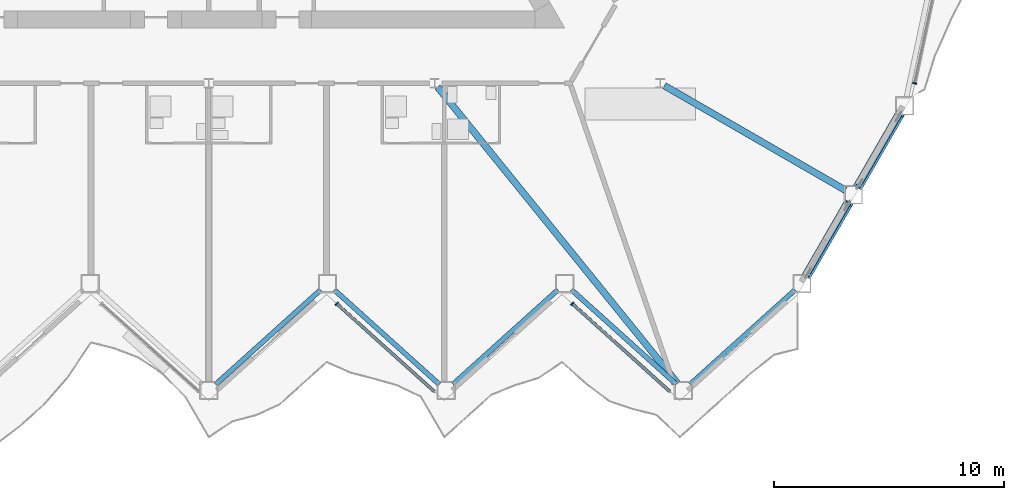
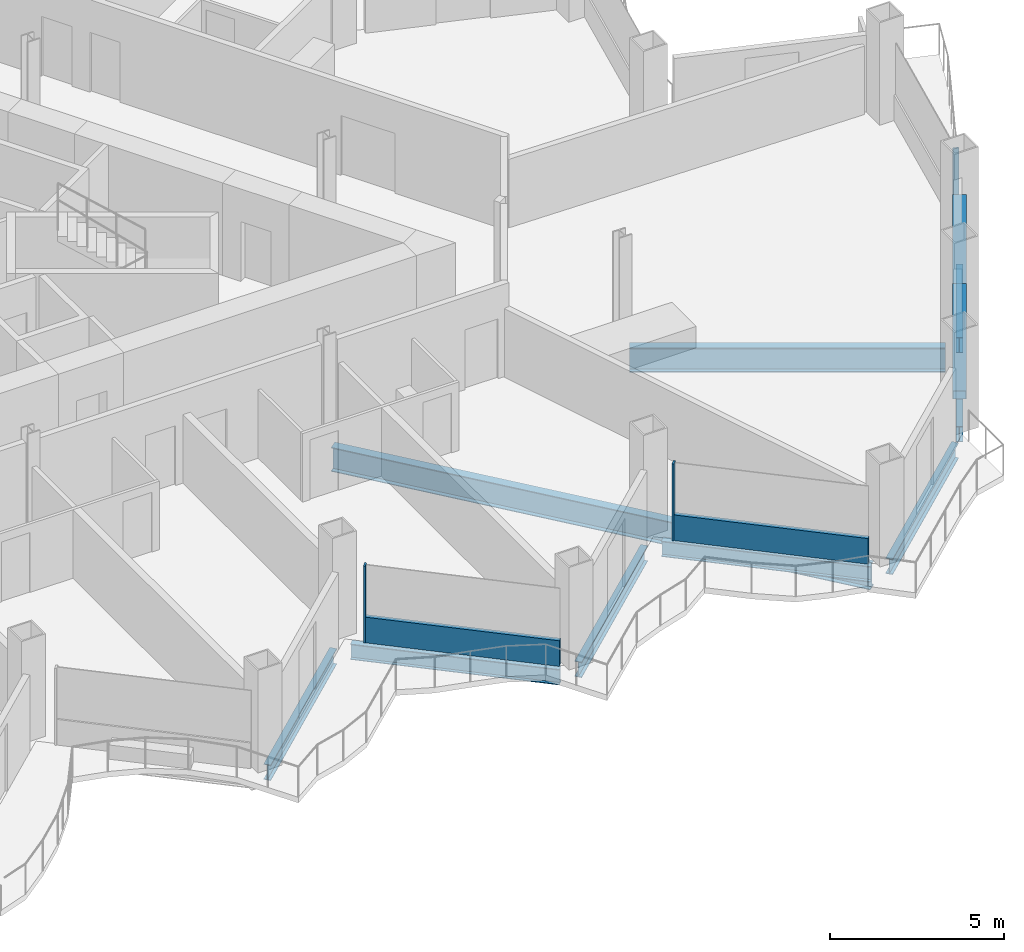
# One storey, part 5 of 23: 9 beams, 7 members, 3 elements without a shape of their own.
"""IFC4 building model written with IfcOpenShell, lengths in metres."""

from ifc_helpers import new_model, si_unit, direction, frame, origin, origin_2d, place, context, subcontext, project, spatial, rectangle, hollow_rectangle, i_section, extrude, material, layer, layer_set, material_profile, profile_set, type_object, element, aggregate, save


model = new_model("IFC4")

# Units and contexts
model_context = context("Model", 3, precision=1e-05, world=origin(), true_north=direction((0.0, 1.0)))
body_context = subcontext(model_context, "Body", "Model", "MODEL_VIEW")
ifc_project = project(units=[si_unit("LENGTHUNIT", "METRE"), si_unit("AREAUNIT", "SQUARE_METRE"), si_unit("VOLUMEUNIT", "CUBIC_METRE"), si_unit("PLANEANGLEUNIT", "RADIAN"), si_unit("MASSUNIT", "GRAM", prefix="KILO")], contexts=[model_context])

# Site, building, storey
site_placement = place(None, origin())
site = spatial("IfcSite", under=ifc_project, at=site_placement, CompositionType="ELEMENT")
building_placement = place(site_placement, origin())
building = spatial("IfcBuilding", under=site, at=building_placement, Name="Cormorant Prow Tower", CompositionType="ELEMENT")
storey_placement = place(building_placement, frame((0.0, 0.0, 187.199951171875)))
storey = spatial("IfcBuildingStorey", under=building, at=storey_placement, Name="L40", CompositionType="ELEMENT", Elevation=187.199951171875)

# Members
ifc_material_1 = material(Name="Structural steel ASTM A500 Gr C", Category="steel")
ifc_material_profile_1 = material_profile(ifc_material_1, hollow_rectangle(XDim=0.406494140625, YDim=0.406494140625, WallThickness=0.01171875, at=origin_2d()), Name="HSS16x16x1/2")
ifc_profile_set_1 = profile_set([ifc_material_profile_1], Name="Structural steel ASTM A500 Gr C")
member_type_1 = type_object("IfcMemberType", Name="Chamfer brace HSS16x16x1/2", PredefinedType="BRACE", material=ifc_profile_set_1)
member_1_placement = place(storey_placement, frame((26.0322265625, -19.7099609375, 0.739990234375), z_axis=(0.47400804529, 0.820968949664, 0.318318011883), x_axis=(-0.866015628144, 0.500016931523, 0.0)))
element("IfcMember", 1, at=member_1_placement, inside=storey, type_object=member_type_1, Name="Chamfer brace BR2 at ESE00 L40", PredefinedType="BRACE", context=body_context, shape_type="SweptSolid", body=[
    extrude(hollow_rectangle(XDim=0.406494140625, YDim=0.406494140625, WallThickness=0.01171875, at=origin_2d()), origin(), (0.0, 0.0, 1.0), 3.835693359375),
])
member_2_placement = place(storey_placement, frame((28.267333984375, -15.838623046875, 0.739990234375), z_axis=(0.473983276796, 0.820989698857, 0.31830137871), x_axis=(-0.866032413668, 0.499987858329, 0.0)))
element("IfcMember", 2, at=member_2_placement, inside=storey, type_object=member_type_1, Name="Chamfer brace BR2 at ESE01 L40", PredefinedType="BRACE", context=body_context, shape_type="SweptSolid", body=[
    extrude(hollow_rectangle(XDim=0.406494140625, YDim=0.406494140625, WallThickness=0.01171875, at=origin_2d()), origin(), (0.0, 0.0, 1.0), 3.8359375),
])

# Curtain wall, member
ifc_material_2 = material(Name="Aluminium 6063-T6", Category="aluminium")
ifc_layer = layer(ifc_material_2, 0.179931640625)
ifc_layer_set = layer_set([ifc_layer], Name="Aluminium 6063-T6")
curtain_wall_type = type_object("IfcCurtainWallType", Name="Hotel unitised curtain wall 180", PredefinedType="NOTDEFINED", material=ifc_layer_set)
curtain_wall_1_placement = place(storey_placement, origin())
curtain_wall_1 = element("IfcCurtainWall", 3, at=curtain_wall_1_placement, inside=storey, type_object=curtain_wall_type, Name="Hotel curtain wall S06", PredefinedType="NOTDEFINED")
ifc_material_3 = material(Name="Aluminium 6063-T6", Category="aluminium")
ifc_material_profile_2 = material_profile(ifc_material_3, rectangle(XDim=0.179931640625, YDim=0.06005859375, at=origin_2d()), Name="Hotel mullion 60x180")
ifc_profile_set_2 = profile_set([ifc_material_profile_2], Name="Aluminium 6063-T6")
member_type_2 = type_object("IfcMemberType", Name="Hotel mullion 60x180", PredefinedType="MULLION", material=ifc_profile_set_2)
member_3_placement = place(storey_placement, frame((5.571533203125, -20.94189453125, 0.0), z_axis=(0.0, 0.0, 1.0), x_axis=(0.669130655957, 0.743144780819, 0.0)))
member_3 = element("IfcMember", 4, at=member_3_placement, type_object=member_type_2, Name="Hotel mullion S06", PredefinedType="MULLION", context=body_context, shape_type="SweptSolid", body=[
    extrude(rectangle(XDim=0.179931640625, YDim=0.06005859375, at=origin_2d()), origin(), (0.0, 0.0, 1.0), 2.700927734375),
])

curtain_wall_2_placement = place(storey_placement, origin())
curtain_wall_2 = element("IfcCurtainWall", 5, at=curtain_wall_2_placement, inside=storey, type_object=curtain_wall_type, Name="Hotel curtain wall S08", PredefinedType="NOTDEFINED")
member_4_placement = place(storey_placement, frame((15.82568359375, -20.94189453125, 0.0), z_axis=(0.0, 0.0, 1.0), x_axis=(0.669130583881, 0.743144845716, 0.0)))
member_4 = element("IfcMember", 6, at=member_4_placement, type_object=member_type_2, Name="Hotel mullion S08", PredefinedType="MULLION", context=body_context, shape_type="SweptSolid", body=[
    extrude(rectangle(XDim=0.179931640625, YDim=0.06005859375, at=origin_2d()), origin(), (0.0, 0.0, 1.0), 2.700927734375),
])

curtain_wall_3_placement = place(storey_placement, origin())
curtain_wall_3 = element("IfcCurtainWall", 7, at=curtain_wall_3_placement, inside=storey, type_object=curtain_wall_type, Name="Hotel curtain wall ENE00", PredefinedType="NOTDEFINED")
member_5_placement = place(storey_placement, frame((30.731689453125, -11.34521484375, 0.0), z_axis=(0.0, 0.0, 1.0), x_axis=(-0.978147591622, 0.207911733685, 0.0)))
member_5 = element("IfcMember", 8, at=member_5_placement, type_object=member_type_2, Name="Hotel mullion ENE00", PredefinedType="MULLION", context=body_context, shape_type="SweptSolid", body=[
    extrude(rectangle(XDim=0.179931640625, YDim=0.06005859375, at=origin_2d()), origin(), (0.0, 0.0, 1.0), 2.700927734375),
])
aggregate(curtain_wall_3, [member_5])

# Member
ifc_material_4 = material(Name="Terracotta", Category="masonry")
ifc_material_profile_3 = material_profile(ifc_material_4, rectangle(XDim=0.139892578125, YDim=0.89990234375, at=origin_2d()), Name="Hotel terracotta spandrel rail 140x900")
ifc_profile_set_3 = profile_set([ifc_material_profile_3], Name="Terracotta")
member_type_3 = type_object("IfcMemberType", Name="Hotel terracotta spandrel rail 140x900", PredefinedType="USERDEFINED", material=ifc_profile_set_3)
member_6_placement = place(storey_placement, frame((5.59375, -20.9619140625, 0.449951171875), z_axis=(0.74314512794, -0.66913027044, 0.0), x_axis=(0.66913027044, 0.74314512794, 0.0)))
member_6 = element("IfcMember", 9, at=member_6_placement, type_object=member_type_3, Name="Hotel spandrel rail S06", ObjectType="TRANSOM", PredefinedType="USERDEFINED", context=body_context, shape_type="SweptSolid", body=[
    extrude(rectangle(XDim=0.139892578125, YDim=0.89990234375, at=origin_2d()), origin(), (0.0, 0.0, 1.0), 5.703125),
])

aggregate(curtain_wall_1, [member_3, member_6])

member_7_placement = place(storey_placement, frame((15.84814453125, -20.9619140625, 0.449951171875), z_axis=(0.74314512794, -0.66913027044, 0.0), x_axis=(0.66913027044, 0.74314512794, 0.0)))
member_7 = element("IfcMember", 10, at=member_7_placement, type_object=member_type_3, Name="Hotel spandrel rail S08", ObjectType="TRANSOM", PredefinedType="USERDEFINED", context=body_context, shape_type="SweptSolid", body=[
    extrude(rectangle(XDim=0.139892578125, YDim=0.89990234375, at=origin_2d()), origin(), (0.0, 0.0, 1.0), 5.703125),
])

aggregate(curtain_wall_2, [member_4, member_7])

# Beams
ifc_material_5 = material(Name="Structural steel ASTM A992 Gr 50", Category="steel")
ifc_material_profile_4 = material_profile(ifc_material_5, i_section(OverallWidth=0.29296875, OverallDepth=0.845703125, WebThickness=0.015380859375, FlangeThickness=0.0244140625, at=origin_2d()), Name="W33x141")
ifc_profile_set_4 = profile_set([ifc_material_profile_4], Name="Structural steel ASTM A992 Gr 50")
beam_type_1 = type_object("IfcBeamType", Name="Radial floor beam W33x141", PredefinedType="BEAM", material=ifc_profile_set_4)
beam_1_placement = place(storey_placement, frame((9.95654296875, -11.50732421875, -0.77294921875), z_axis=(0.629385162657, -0.777093505974, 0.0), x_axis=(0.777093505974, 0.629385162657, 0.0)))
element("IfcBeam", 11, at=beam_1_placement, inside=storey, type_object=beam_type_1, Name="Radial floor beam FB2 8 L40", PredefinedType="BEAM", context=body_context, shape_type="SweptSolid", body=[
    extrude(i_section(OverallWidth=0.29296875, OverallDepth=0.845703125, WebThickness=0.015380859375, FlangeThickness=0.0244140625, at=origin_2d()), origin(), (0.0, 0.0, 1.0), 16.6044921875),
])
beam_2_placement = place(storey_placement, frame((19.833251953125, -11.45068359375, -0.77294921875), z_axis=(0.866023373109, -0.500003517217, 0.0), x_axis=(0.500003517217, 0.866023373109, 0.0)))
element("IfcBeam", 12, at=beam_2_placement, inside=storey, type_object=beam_type_1, Name="Radial floor beam FB2 9 L40", PredefinedType="BEAM", context=body_context, shape_type="SweptSolid", body=[
    extrude(i_section(OverallWidth=0.29296875, OverallDepth=0.845703125, WebThickness=0.015380859375, FlangeThickness=0.0244140625, at=origin_2d()), origin(), (0.0, 0.0, 1.0), 9.09814453125),
])
ifc_material_6 = material(Name="Structural steel ASTM A992 Gr 50", Category="steel")
ifc_material_profile_5 = material_profile(ifc_material_6, i_section(OverallWidth=0.2138671875, OverallDepth=0.549072265625, WebThickness=0.0146484375, FlangeThickness=0.023681640625, at=origin_2d()), Name="W21x93")
ifc_profile_set_5 = profile_set([ifc_material_profile_5], Name="Structural steel ASTM A992 Gr 50")
beam_type_2 = type_object("IfcBeamType", Name="Spandrel beam W21x93", PredefinedType="SPANDREL", material=ifc_profile_set_5)
beam_3_placement = place(storey_placement, frame((0.29736328125, -24.453857421875, -0.62451171875), z_axis=(0.743138178716, 0.669137988261, 0.0), x_axis=(-0.669137988261, 0.743138178716, 0.0)))
element("IfcBeam", 13, at=beam_3_placement, inside=storey, type_object=beam_type_2, Name="Spandrel beam SB2 S05-S06 L40", PredefinedType="SPANDREL", context=body_context, shape_type="SweptSolid", body=[
    extrude(i_section(OverallWidth=0.2138671875, OverallDepth=0.549072265625, WebThickness=0.0146484375, FlangeThickness=0.023681640625, at=origin_2d()), origin(), (0.0, 0.0, 1.0), 6.149658203125),
])
beam_4_placement = place(storey_placement, frame((5.4619140625, -20.3388671875, -0.62451171875), z_axis=(0.743155953285, -0.669118247469, 0.0), x_axis=(0.669118247469, 0.743155953285, 0.0)))
element("IfcBeam", 14, at=beam_4_placement, inside=storey, type_object=beam_type_2, Name="Spandrel beam SB2 S06-S07 L40", PredefinedType="SPANDREL", context=body_context, shape_type="SweptSolid", body=[
    extrude(i_section(OverallWidth=0.2138671875, OverallDepth=0.549072265625, WebThickness=0.0146484375, FlangeThickness=0.023681640625, at=origin_2d()), origin(), (0.0, 0.0, 1.0), 6.14990234375),
])
for number, where, z_axis, x_axis, name in (
    (15, (10.626708984375, -24.453857421875, -0.62451171875), (0.743138178716, 0.669137988261, 0.0), (-0.669137988261, 0.743138178716, 0.0), "Spandrel beam SB2 S07-S08 L40"),
    (16, (15.79150390625, -20.3388671875, -0.62451171875), (0.743138178716, -0.669137988261, 0.0), (0.669137988261, 0.743138178716, 0.0), "Spandrel beam SB2 S08-S09 L40"),
):
    element("IfcBeam", number, at=place(storey_placement, frame(where, z_axis=z_axis, x_axis=x_axis)), inside=storey, type_object=beam_type_2, Name=name, PredefinedType="SPANDREL", context=body_context, shape_type="SweptSolid", body=[
        extrude(i_section(OverallWidth=0.2138671875, OverallDepth=0.549072265625, WebThickness=0.0146484375, FlangeThickness=0.023681640625, at=origin_2d()), origin(), (0.0, 0.0, 1.0), 6.149658203125),
    ])
beam_5_placement = place(storey_placement, frame((20.9560546875, -24.453857421875, -0.62451171875), z_axis=(0.743155953285, 0.669118247469, 0.0), x_axis=(-0.669118247469, 0.743155953285, 0.0)))
element("IfcBeam", 17, at=beam_5_placement, inside=storey, type_object=beam_type_2, Name="Spandrel beam SB2 S09-ESE00 L40", PredefinedType="SPANDREL", context=body_context, shape_type="SweptSolid", body=[
    extrude(i_section(OverallWidth=0.2138671875, OverallDepth=0.549072265625, WebThickness=0.0146484375, FlangeThickness=0.023681640625, at=origin_2d()), origin(), (0.0, 0.0, 1.0), 6.14990234375),
])
for number, where, z_axis, x_axis, name in (
    (18, (26.023681640625, -19.724853515625, -0.62451171875), (0.499994986164, 0.866028298505, 0.0), (-0.866028298505, 0.499994986164, 0.0), "Spandrel beam SB2 ESE00-ESE01 L40"),
    (19, (28.2587890625, -15.853271484375, -0.62451171875), (0.499994986164, 0.866028298505, 0.0), (-0.866028298505, 0.499994986164, 0.0), "Spandrel beam SB2 ESE01-ENE00 L40"),
):
    element("IfcBeam", number, at=place(storey_placement, frame(where, z_axis=z_axis, x_axis=x_axis)), inside=storey, type_object=beam_type_2, Name=name, PredefinedType="SPANDREL", context=body_context, shape_type="SweptSolid", body=[
        extrude(i_section(OverallWidth=0.2138671875, OverallDepth=0.549072265625, WebThickness=0.0146484375, FlangeThickness=0.023681640625, at=origin_2d()), origin(), (0.0, 0.0, 1.0), 3.67041015625),
    ])

save(model, "model.ifc")
